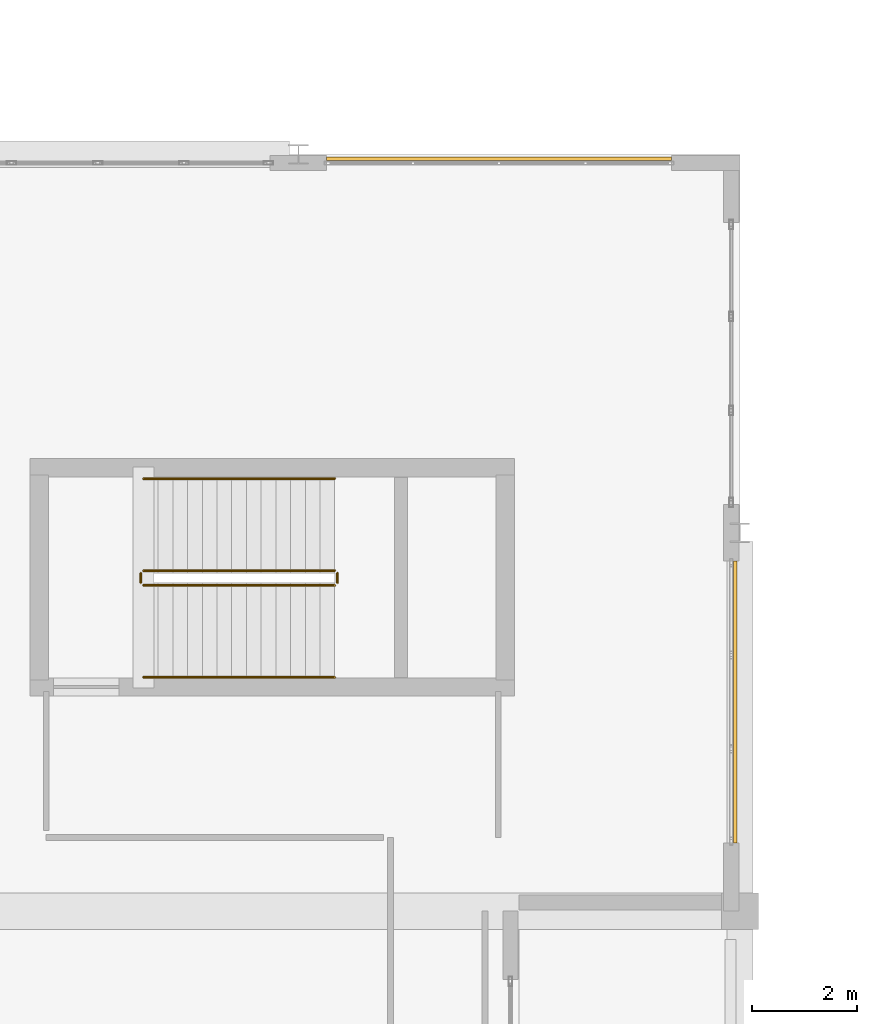
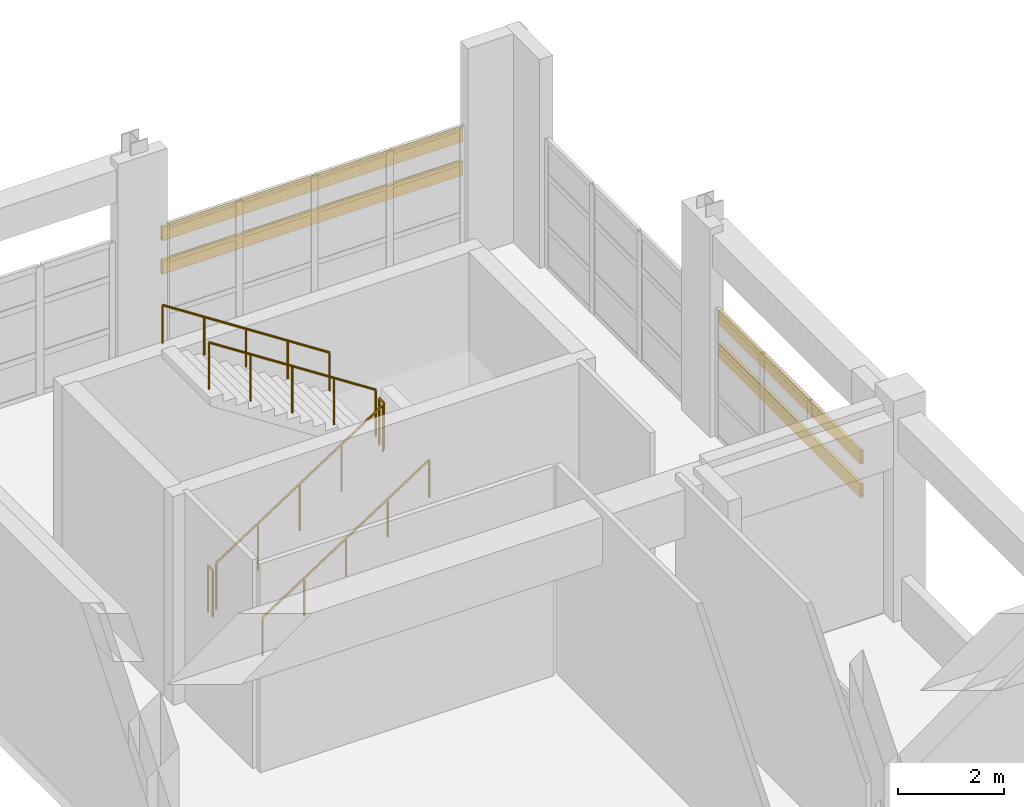
# One storey, part 96 of 103: 6 railings, 4 shading devices.
"""IFC4 building model written with IfcOpenShell, lengths in metres."""

from ifc_helpers import new_model, si_unit, direction, frame, origin, origin_2d, place, context, subcontext, project, spatial, hollow_rectangle, circle, extrude, material, material_profile, profile_set, type_object, element, save


model = new_model("IFC4")

# Units and contexts
model_context = context("Model", 3, precision=1e-05, world=origin(), true_north=direction((0.0, 1.0)))
body_context = subcontext(model_context, "Body", "Model", "MODEL_VIEW")
ifc_project = project(units=[si_unit("LENGTHUNIT", "METRE"), si_unit("AREAUNIT", "SQUARE_METRE"), si_unit("VOLUMEUNIT", "CUBIC_METRE"), si_unit("PLANEANGLEUNIT", "RADIAN"), si_unit("MASSUNIT", "GRAM", prefix="KILO")], contexts=[model_context])

# Site, building, storey
site_placement = place(None, origin())
site = spatial("IfcSite", under=ifc_project, at=site_placement, CompositionType="ELEMENT")
building_placement = place(site_placement, origin())
building = spatial("IfcBuilding", under=site, at=building_placement, Name="Quendrovan Civic Courthouse", CompositionType="ELEMENT")
storey_placement = place(building_placement, frame((0.0, 0.0, 15.300048828125)))
storey = spatial("IfcBuildingStorey", under=building, at=storey_placement, Name="L04", CompositionType="ELEMENT", Elevation=15.300048828125)

# Railings
ifc_material_1 = material(Name="Painted galvanized steel", Category="steel")
railing_type_1 = type_object("IfcRailingType", Name="RL-STR-GUARD1100", PredefinedType="GUARDRAIL", material=ifc_material_1)
railing_1_placement = place(storey_placement, frame((5.449951171875, 86.60009765625, 0.18212890625)))
element("IfcRailing", 1, at=railing_1_placement, inside=storey, type_object=railing_type_1, Name="L04 ST8 stair guard 1", PredefinedType="GUARDRAIL", context=body_context, shape_type="SweptSolid", body=[
    extrude(circle(Radius=0.02392578125, at=origin_2d()), frame((0.0, 0.0, 1.076171875), z_axis=(0.83825089185, 0.0, 0.545284735081), x_axis=(0.0, 1.0, 0.0)), (0.0, 0.0, 1.0), 4.342529296875),
    extrude(circle(Radius=0.02099609375, at=origin_2d()), origin(), (0.0, 0.0, 1.0), 1.052001953125),
    extrude(circle(Radius=0.02099609375, at=origin_2d()), frame((0.91015625, 0.0, 0.592041015625)), (0.0, 0.0, 1.0), 1.052001953125),
    extrude(circle(Radius=0.02099609375, at=origin_2d()), frame((1.820068359375, 0.0, 1.18408203125)), (0.0, 0.0, 1.0), 1.052001953125),
    extrude(circle(Radius=0.02099609375, at=origin_2d()), frame((2.72998046875, 0.0, 1.77587890625)), (0.0, 0.0, 1.0), 1.052001953125),
    extrude(circle(Radius=0.02099609375, at=origin_2d()), frame((3.64013671875, 0.0, 2.367919921875)), (0.0, 0.0, 1.0), 1.052001953125),
])
railing_2_placement = place(storey_placement, frame((9.139892578125, 86.64990234375, 2.550048828125)))
element("IfcRailing", 2, at=railing_2_placement, inside=storey, type_object=railing_type_1, Name="L04 ST8 stair guard 2", PredefinedType="GUARDRAIL", context=body_context, shape_type="SweptSolid", body=[
    extrude(circle(Radius=0.02392578125, at=origin_2d()), frame((0.0, 0.0, 1.076171875), z_axis=(0.0, 1.0, 0.0), x_axis=(-1.0, 0.0, 0.0)), (0.0, 0.0, 1.0), 0.18017578125),
    extrude(circle(Radius=0.02099609375, at=origin_2d()), origin(), (0.0, 0.0, 1.0), 1.052001953125),
    extrude(circle(Radius=0.02099609375, at=origin_2d()), frame((0.0, 0.18017578125, 0.0)), (0.0, 0.0, 1.0), 1.052001953125),
])
railing_3_placement = place(storey_placement, frame((9.090087890625, 86.8798828125, 2.732177734375)))
element("IfcRailing", 3, at=railing_3_placement, inside=storey, type_object=railing_type_1, Name="L04 ST8 stair guard 3", PredefinedType="GUARDRAIL", context=body_context, shape_type="SweptSolid", body=[
    extrude(circle(Radius=0.02392578125, at=origin_2d()), frame((0.0, 0.0, 1.076171875), z_axis=(-0.838276589377, 0.0, 0.545245228959), x_axis=(0.0, -1.0, 0.0)), (0.0, 0.0, 1.0), 4.34228515625),
    extrude(circle(Radius=0.02099609375, at=origin_2d()), origin(), (0.0, 0.0, 1.0), 1.052001953125),
    extrude(circle(Radius=0.02099609375, at=origin_2d()), frame((-0.91015625, 0.0, 0.591796875)), (0.0, 0.0, 1.0), 1.052001953125),
    extrude(circle(Radius=0.02099609375, at=origin_2d()), frame((-1.820068359375, 0.0, 1.183837890625)), (0.0, 0.0, 1.0), 1.052001953125),
    extrude(circle(Radius=0.02099609375, at=origin_2d()), frame((-2.72998046875, 0.0, 1.77587890625)), (0.0, 0.0, 1.0), 1.052001953125),
    extrude(circle(Radius=0.02099609375, at=origin_2d()), frame((-3.64013671875, 0.0, 2.36767578125)), (0.0, 0.0, 1.0), 1.052001953125),
])
railing_4_placement = place(storey_placement, frame((5.39990234375, 86.64990234375, 0.0)))
element("IfcRailing", 4, at=railing_4_placement, inside=storey, type_object=railing_type_1, Name="L04 ST8 stair guard 4", PredefinedType="GUARDRAIL", context=body_context, shape_type="SweptSolid", body=[
    extrude(circle(Radius=0.02392578125, at=origin_2d()), frame((0.0, 0.0, 1.076171875), z_axis=(0.0, 1.0, 0.0), x_axis=(-1.0, 0.0, 0.0)), (0.0, 0.0, 1.0), 0.18017578125),
    extrude(circle(Radius=0.02099609375, at=origin_2d()), origin(), (0.0, 0.0, 1.0), 1.052001953125),
    extrude(circle(Radius=0.02099609375, at=origin_2d()), frame((0.0, 0.18017578125, 0.0)), (0.0, 0.0, 1.0), 1.052001953125),
])
ifc_material_2 = material(Name="Bronze anodised aluminium", Category="aluminium")
railing_type_2 = type_object("IfcRailingType", Name="RL-STR-HAND900", PredefinedType="HANDRAIL", material=ifc_material_2)
railing_5_placement = place(storey_placement, frame((5.449951171875, 84.85009765625, 0.18212890625)))
element("IfcRailing", 5, at=railing_5_placement, inside=storey, type_object=railing_type_2, Name="L04 ST8 stair handrail 1", PredefinedType="HANDRAIL", context=body_context, shape_type="SweptSolid", body=[
    extrude(circle(Radius=0.02392578125, at=origin_2d()), frame((0.0, 0.0, 0.8759765625), z_axis=(0.83825089185, 0.0, 0.545284735081), x_axis=(0.0, 1.0, 0.0)), (0.0, 0.0, 1.0), 4.342529296875),
    extrude(circle(Radius=0.02099609375, at=origin_2d()), origin(), (0.0, 0.0, 1.0), 0.851806640625),
    extrude(circle(Radius=0.02099609375, at=origin_2d()), frame((0.91015625, 0.0, 0.592041015625)), (0.0, 0.0, 1.0), 0.851806640625),
    extrude(circle(Radius=0.02099609375, at=origin_2d()), frame((1.820068359375, 0.0, 1.18408203125)), (0.0, 0.0, 1.0), 0.851806640625),
    extrude(circle(Radius=0.02099609375, at=origin_2d()), frame((2.72998046875, 0.0, 1.77587890625)), (0.0, 0.0, 1.0), 0.851806640625),
    extrude(circle(Radius=0.02099609375, at=origin_2d()), frame((3.64013671875, 0.0, 2.367919921875)), (0.0, 0.0, 1.0), 0.851806640625),
])
railing_6_placement = place(storey_placement, frame((9.090087890625, 88.6298828125, 2.732177734375)))
element("IfcRailing", 6, at=railing_6_placement, inside=storey, type_object=railing_type_2, Name="L04 ST8 stair handrail 2", PredefinedType="HANDRAIL", context=body_context, shape_type="SweptSolid", body=[
    extrude(circle(Radius=0.02392578125, at=origin_2d()), frame((0.0, 0.0, 0.8759765625), z_axis=(-0.838276589377, 0.0, 0.545245228959), x_axis=(0.0, -1.0, 0.0)), (0.0, 0.0, 1.0), 4.34228515625),
    extrude(circle(Radius=0.02099609375, at=origin_2d()), origin(), (0.0, 0.0, 1.0), 0.851806640625),
    extrude(circle(Radius=0.02099609375, at=origin_2d()), frame((-0.91015625, 0.0, 0.591796875)), (0.0, 0.0, 1.0), 0.851806640625),
    extrude(circle(Radius=0.02099609375, at=origin_2d()), frame((-1.820068359375, 0.0, 1.183837890625)), (0.0, 0.0, 1.0), 0.851806640625),
    extrude(circle(Radius=0.02099609375, at=origin_2d()), frame((-2.72998046875, 0.0, 1.77587890625)), (0.0, 0.0, 1.0), 0.851806640625),
    extrude(circle(Radius=0.02099609375, at=origin_2d()), frame((-3.64013671875, 0.0, 2.36767578125)), (0.0, 0.0, 1.0), 0.851806640625),
])

# Shading devices
ifc_material_profile = material_profile(ifc_material_2, hollow_rectangle(XDim=0.06494140625, YDim=0.320068359375, WallThickness=0.0048828125, at=origin_2d()), Name="AL-LOUVRE-65x320")
ifc_profile_set = profile_set([ifc_material_profile], Name="Bronze anodised aluminium")
shading_device_type = type_object("IfcShadingDeviceType", Name="SHD-STORM-LOUVRE", PredefinedType="JALOUSIE", material=ifc_profile_set)
for number, where, z_axis, x_axis, name in (
    (7, (8.93701171875, 94.715087890625, 1.949951171875), (1.0, 0.0, 0.0), (0.0, 1.0, 0.0), "L04 Bronze Hurricane Storm Louvre SLV-145"),
    (8, (8.93701171875, 94.715087890625, 2.719970703125), (1.0, 0.0, 0.0), (0.0, 1.0, 0.0), "L04 Bronze Hurricane Storm Louvre SLV-146"),
):
    element("IfcShadingDevice", number, at=place(storey_placement, frame(where, z_axis=z_axis, x_axis=x_axis)), inside=storey, type_object=shading_device_type, Name=name, PredefinedType="JALOUSIE", context=body_context, shape_type="SweptSolid", body=[
        extrude(hollow_rectangle(XDim=0.06494140625, YDim=0.320068359375, WallThickness=0.0048828125, at=origin_2d()), origin(), (0.0, 0.0, 1.0), 6.56298828125),
    ])
for number, where, z_axis, x_axis, name in (
    (9, (16.715087890625, 87.06298828125, 1.949951171875), (0.0, -1.0, 0.0), (1.0, 0.0, 0.0), "L04 Bronze Hurricane Storm Louvre SLV-147"),
    (10, (16.715087890625, 87.06298828125, 2.719970703125), (0.0, -1.0, 0.0), (1.0, 0.0, 0.0), "L04 Bronze Hurricane Storm Louvre SLV-148"),
):
    element("IfcShadingDevice", number, at=place(storey_placement, frame(where, z_axis=z_axis, x_axis=x_axis)), inside=storey, type_object=shading_device_type, Name=name, PredefinedType="JALOUSIE", context=body_context, shape_type="SweptSolid", body=[
        extrude(hollow_rectangle(XDim=0.06494140625, YDim=0.320068359375, WallThickness=0.0048828125, at=origin_2d()), origin(), (0.0, 0.0, 1.0), 5.363037109375),
    ])

save(model, "model.ifc")
